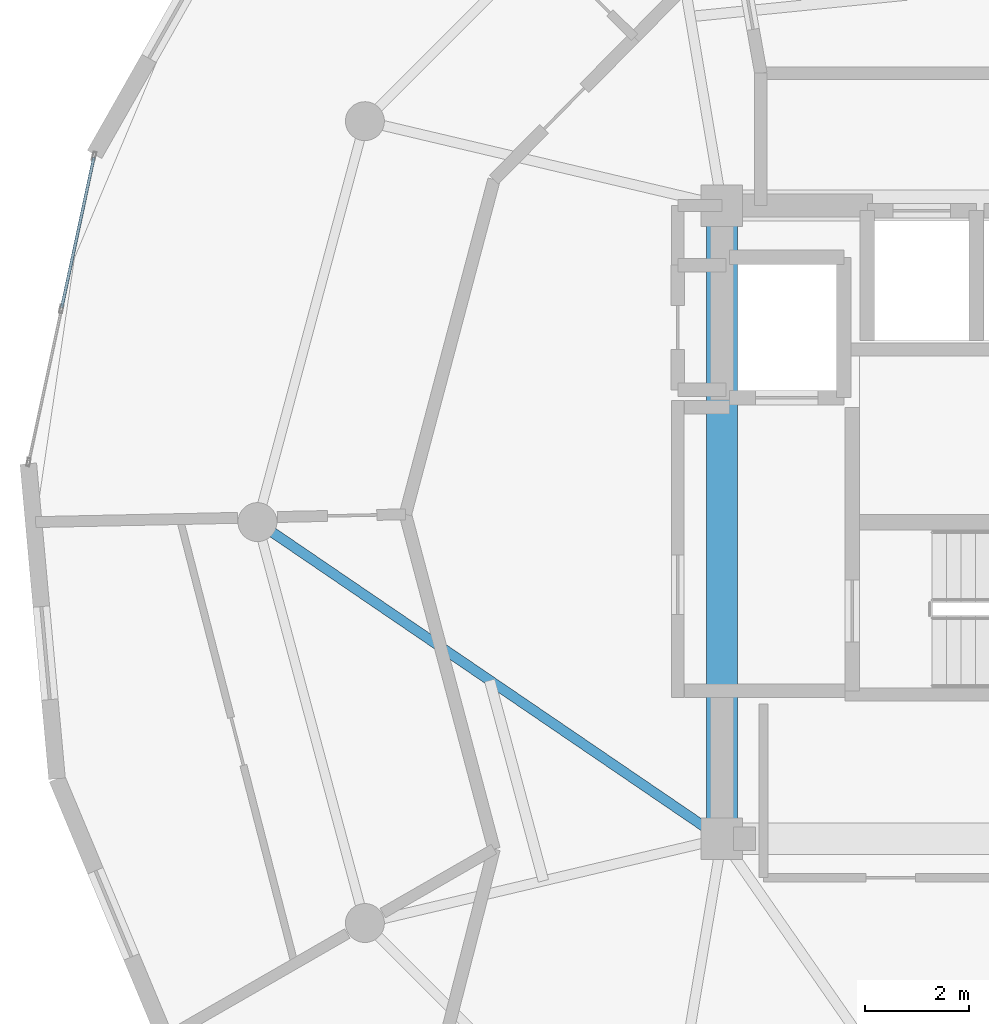
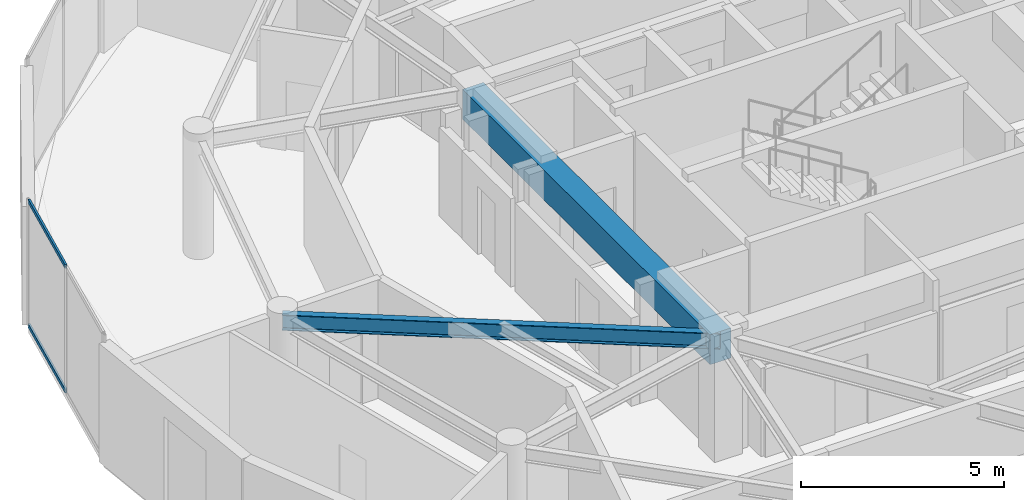
# One storey, part 8 of 22: 2 beams, 2 members, 1 element without a shape of its own.
"""IFC4 building model written with IfcOpenShell, lengths in metres."""

from ifc_helpers import new_model, si_unit, direction, frame, origin, origin_2d, place, context, subcontext, project, spatial, rectangle, hollow_rectangle, i_section, extrude, source, transform, mapped, material, layer, layer_set, material_profile, profile_set, type_object, element, aggregate, save


model = new_model("IFC4")

# Units and contexts
model_context = context("Model", 3, precision=1e-05, world=origin(), true_north=direction((0.0, 1.0)))
body_context = subcontext(model_context, "Body", "Model", "MODEL_VIEW")
ifc_project = project(units=[si_unit("LENGTHUNIT", "METRE"), si_unit("AREAUNIT", "SQUARE_METRE"), si_unit("VOLUMEUNIT", "CUBIC_METRE"), si_unit("PLANEANGLEUNIT", "RADIAN"), si_unit("MASSUNIT", "GRAM", prefix="KILO")], contexts=[model_context])

# Site, building, storey
site_placement = place(None, origin())
site = spatial("IfcSite", under=ifc_project, at=site_placement, CompositionType="ELEMENT")
building_placement = place(site_placement, origin())
building = spatial("IfcBuilding", under=site, at=building_placement, Name="Solvirekh Grand Hotel", CompositionType="ELEMENT")
storey_placement = place(building_placement, frame((0.0, 0.0, 289.60009765625)))
storey = spatial("IfcBuildingStorey", under=building, at=storey_placement, Name="L75", CompositionType="ELEMENT", Elevation=289.60009765625)

# Beams
ifc_material_1 = material(Name="Concrete C50/60", Category="concrete")
ifc_material_profile_1 = material_profile(ifc_material_1, rectangle(XDim=0.60009765625, YDim=0.89990234375, at=origin_2d()), Name="RC BEAM 600X900")
ifc_profile_set_1 = profile_set([ifc_material_profile_1], Name="Concrete C50/60")
beam_type_1 = type_object("IfcBeamType", Name="Beam_Core_RC900", PredefinedType="BEAM", material=ifc_profile_set_1)
beam_1_placement = place(storey_placement, frame((-6.5, 6.10009765625, 3.119873046875), z_axis=(0.0, -1.0, 0.0), x_axis=(1.0, 0.0, 0.0)))
element("IfcBeam", 1, at=beam_1_placement, inside=storey, type_object=beam_type_1, Name="L75 core coupling ring beam 4", PredefinedType="BEAM", context=body_context, shape_type="SweptSolid", body=[
    extrude(rectangle(XDim=0.60009765625, YDim=0.89990234375, at=origin_2d()), origin(), (0.0, 0.0, 1.0), 12.2001953125),
])
ifc_material_2 = material(Name="Steel S355", Category="steel")
ifc_material_profile_2 = material_profile(ifc_material_2, i_section(OverallWidth=0.194091796875, OverallDepth=0.468994140625, WebThickness=0.010986328125, FlangeThickness=0.01904296875, FilletRadius=0.012939453125, at=origin_2d()), Name="W460X106")
ifc_profile_set_2 = profile_set([ifc_material_profile_2], Name="Steel S355")
beam_type_2 = type_object("IfcBeamType", Name="Beam_Radial_W460H", PredefinedType="BEAM", material=ifc_profile_set_2)
beam_2_placement = place(storey_placement, frame((-6.5, -6.10009765625, 3.3349609375), z_axis=(-0.826319370306, 0.563201827285, 0.0), x_axis=(-0.563201827285, -0.826319370306, 0.0)))
element("IfcBeam", 2, at=beam_2_placement, inside=storey, type_object=beam_type_2, Name="L75 radial floor beam R07", PredefinedType="BEAM", context=body_context, shape_type="SweptSolid", body=[
    extrude(i_section(OverallWidth=0.194091796875, OverallDepth=0.468994140625, WebThickness=0.010986328125, FlangeThickness=0.01904296875, FilletRadius=0.012939453125, at=origin_2d()), origin(), (0.0, 0.0, 1.0), 10.8310546875),
])

# Curtain wall, members
ifc_material_3 = material(Name="Anodized Bronze Aluminium 6063-T6", Category="aluminium")
ifc_layer = layer(ifc_material_3, 0.159912109375)
ifc_layer_set = layer_set([ifc_layer], Name="Anodized Bronze Aluminium 6063-T6")
curtain_wall_type = type_object("IfcCurtainWallType", Name="CW_Sys4_HighZoneFlushBronzeCW", PredefinedType="NOTDEFINED", material=ifc_layer_set)
curtain_wall_placement = place(storey_placement, origin())
curtain_wall = element("IfcCurtainWall", 3, at=curtain_wall_placement, inside=storey, type_object=curtain_wall_type, Name="L75 unitised bronze-glass curtain wall CW-L75-C15", PredefinedType="NOTDEFINED")
ifc_material_profile_3 = material_profile(ifc_material_3, hollow_rectangle(XDim=0.054931640625, YDim=0.1201171875, WallThickness=0.00390625, at=origin_2d()), Name="ALU RHS 120X55X4")
ifc_profile_set_3 = profile_set([ifc_material_profile_3], Name="Anodized Bronze Aluminium 6063-T6")
member_type = type_object("IfcMemberType", Name="CWTransom_Sys4", PredefinedType="USERDEFINED", material=ifc_profile_set_3)
shared_shape = source(origin(), body_context, "Body", "SweptSolid", [
    extrude(hollow_rectangle(XDim=0.054931640625, YDim=0.1201171875, WallThickness=0.00390625, at=origin_2d()), origin(), (0.0, 0.0, 1.0), 2.957763671875),
])
member_1_placement = place(storey_placement, frame((-18.6015625, 7.0263671875, 0.02734375), z_axis=(-0.209495265925, -0.97780966121, 0.0), x_axis=(0.97780966121, -0.209495265925, 0.0)))
member_1 = element("IfcMember", 4, at=member_1_placement, type_object=member_type, Name="U04 transom 1.1", ObjectType="TRANSOM", PredefinedType="USERDEFINED", context=body_context, shape_type="MappedRepresentation", body=[
    mapped(shared_shape, transform((0.0, 0.0, 0.0), x_axis=(1.0, 0.0, 0.0), y_axis=(0.0, 1.0, 0.0), z_axis=(0.0, 0.0, 1.0), scale=1.0)),
])
member_2_placement = place(storey_placement, frame((-18.6015625, 7.0263671875, 3.7724609375), z_axis=(-0.209495265925, -0.97780966121, 0.0), x_axis=(0.97780966121, -0.209495265925, 0.0)))
member_2 = element("IfcMember", 5, at=member_2_placement, type_object=member_type, Name="U04 transom 1.2", ObjectType="TRANSOM", PredefinedType="USERDEFINED", context=body_context, shape_type="MappedRepresentation", body=[
    mapped(shared_shape, transform((0.0, 0.0, 0.0), x_axis=(1.0, 0.0, 0.0), y_axis=(0.0, 1.0, 0.0), z_axis=(0.0, 0.0, 1.0), scale=1.0)),
])
aggregate(curtain_wall, [member_1, member_2])

save(model, "model.ifc")
